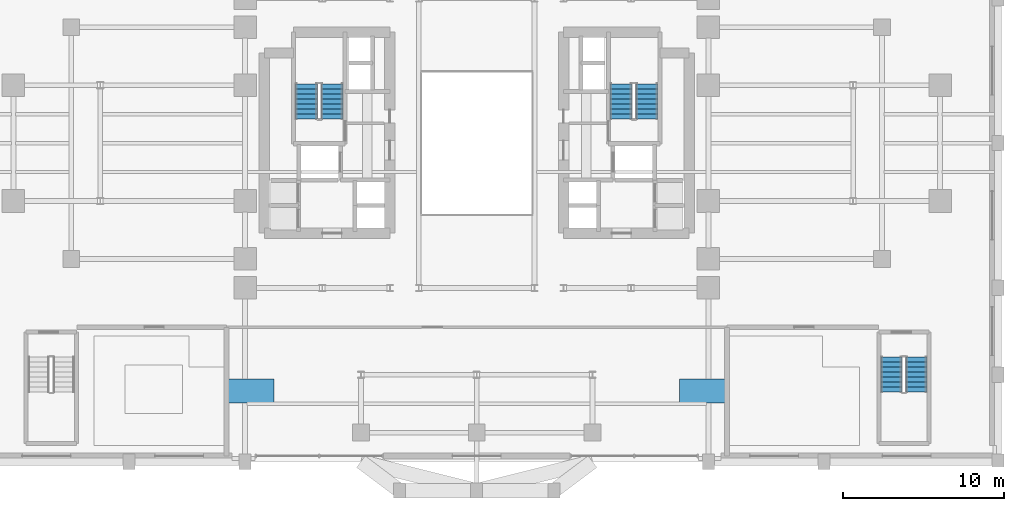
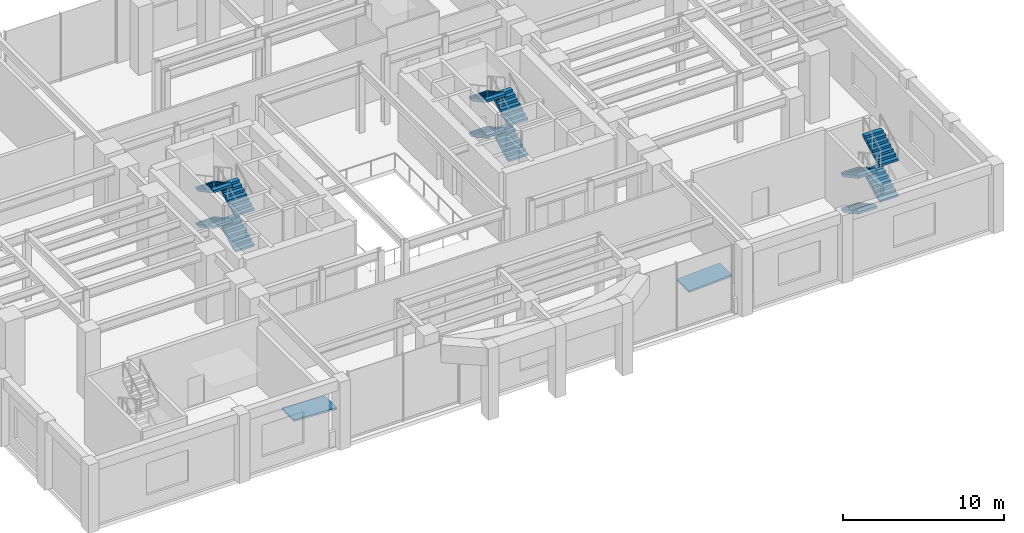
# One storey, part 13 of 16: 12 stair flights, 2 ramp flights, 5 elements without a shape of their own.
"""IFC4 building model written with IfcOpenShell, lengths in metres."""

from ifc_helpers import new_model, si_unit, direction, frame, origin, place, context, subcontext, project, spatial, polyline, outline, extrude, material, layer, layer_set, type_object, element, aggregate, save


model = new_model("IFC4")

# Units and contexts
model_context = context("Model", 3, precision=1e-05, world=origin(), true_north=direction((0.0, 1.0)))
body_context = subcontext(model_context, "Body", "Model", "MODEL_VIEW")
ifc_project = project(units=[si_unit("LENGTHUNIT", "METRE"), si_unit("AREAUNIT", "SQUARE_METRE"), si_unit("VOLUMEUNIT", "CUBIC_METRE"), si_unit("PLANEANGLEUNIT", "RADIAN"), si_unit("MASSUNIT", "GRAM", prefix="KILO")], contexts=[model_context])

# Site, building, storey
site_placement = place(None, origin())
site = spatial("IfcSite", under=ifc_project, at=site_placement, CompositionType="ELEMENT")
building_placement = place(site_placement, origin())
building = spatial("IfcBuilding", under=site, at=building_placement, Name="Keilestroom Media Tower", CompositionType="ELEMENT")
storey_placement = place(building_placement, frame((0.0, 0.0, 10.199951171875)))
storey = spatial("IfcBuildingStorey", under=building, at=storey_placement, Name="L02", CompositionType="ELEMENT", Elevation=10.199951171875)

# Stair, stair flights
ifc_material_1 = material(Name="Concrete C45/55", Category="concrete")
stair_type_1 = type_object("IfcStairType", Name="Enclosed-Dog-Leg-Stair-ST-CORE", PredefinedType="HALF_TURN_STAIR", material=ifc_material_1)
stair_1_placement = place(storey_placement, origin())
stair_1 = element("IfcStair", 1, at=stair_1_placement, inside=storey, type_object=stair_type_1, Name="L02 West Core Escape Stair ST-1", PredefinedType="HALF_TURN_STAIR")
ifc_material_2 = material(Name="Precast concrete C40/50", Category="concrete")
stair_flight_type_1 = type_object("IfcStairFlightType", Name="Precast-Concrete-Stair-Flight-Core-160", PredefinedType="STRAIGHT", material=ifc_material_2)
stair_flight_1_placement = place(storey_placement, frame((-8.97998046875, 1.5, 0.0), z_axis=(0.0, 0.0, 1.0), x_axis=(0.0, 1.0, 0.0)))
stair_flight_1 = element("IfcStairFlight", 2, at=stair_flight_1_placement, type_object=stair_flight_type_1, Name="ST-1 flight 1", NumberOfRisers=8, NumberOfTreads=7, PredefinedType="STRAIGHT", RiserHeight=0.16875, TreadLength=0.312, context=body_context, shape_type="SweptSolid", body=[
    extrude(outline(polyline([(0.0, 0.0), (0.0, 0.168701171875), (0.31201171875, 0.168701171875), (0.31201171875, 0.33740234375), (0.6240234375, 0.33740234375), (0.6240234375, 0.50634765625), (0.93603515625, 0.50634765625), (0.93603515625, 0.675048828125), (1.248046875, 0.675048828125), (1.248046875, 0.84375), (1.56005859375, 0.84375), (1.56005859375, 1.012451171875), (1.8720703125, 1.012451171875), (1.8720703125, 1.18115234375), (2.18408203125, 1.18115234375), (2.18408203125, 1.35009765625), (2.18408203125, 0.99951171875), (0.336181640625, 0.0), (0.0, 0.0)])), frame((0.0, 0.68017578125, 0.0), z_axis=(0.0, -1.0, 0.0), x_axis=(1.0, 0.0, 0.0)), (0.0, 0.0, 1.0), 1.360107421875),
])
stair_flight_2_placement = place(storey_placement, frame((-10.580078125, 3.68408203125, 1.35009765625), z_axis=(0.0, 0.0, 1.0), x_axis=(0.0, -1.0, 0.0)))
stair_flight_2 = element("IfcStairFlight", 3, at=stair_flight_2_placement, type_object=stair_flight_type_1, Name="ST-1 flight 2", NumberOfRisers=8, NumberOfTreads=7, PredefinedType="STRAIGHT", RiserHeight=0.16875, TreadLength=0.312, context=body_context, shape_type="SweptSolid", body=[
    extrude(outline(polyline([(0.0, 0.0), (0.0, 0.168701171875), (0.31201171875, 0.168701171875), (0.31201171875, 0.33740234375), (0.6240234375, 0.33740234375), (0.6240234375, 0.50634765625), (0.93603515625, 0.50634765625), (0.93603515625, 0.675048828125), (1.248046875, 0.675048828125), (1.248046875, 0.84375), (1.56005859375, 0.84375), (1.56005859375, 1.012451171875), (1.8720703125, 1.012451171875), (1.8720703125, 1.18115234375), (2.18408203125, 1.18115234375), (2.18408203125, 1.35009765625), (2.18408203125, 0.99951171875), (0.336181640625, 0.0), (0.0, 0.0)])), frame((0.0, 0.68017578125, 0.0), z_axis=(0.0, -1.0, 0.0), x_axis=(1.0, 0.0, 0.0)), (0.0, 0.0, 1.0), 1.360107421875),
])
stair_flight_3_placement = place(storey_placement, frame((-8.97998046875, 1.5, 2.699951171875), z_axis=(0.0, 0.0, 1.0), x_axis=(0.0, 1.0, 0.0)))
stair_flight_3 = element("IfcStairFlight", 4, at=stair_flight_3_placement, type_object=stair_flight_type_1, Name="ST-1 flight 3", NumberOfRisers=8, NumberOfTreads=7, PredefinedType="STRAIGHT", RiserHeight=0.16875, TreadLength=0.312, context=body_context, shape_type="SweptSolid", body=[
    extrude(outline(polyline([(0.0, 0.0), (0.0, 0.168701171875), (0.31201171875, 0.168701171875), (0.31201171875, 0.33740234375), (0.6240234375, 0.33740234375), (0.6240234375, 0.50634765625), (0.93603515625, 0.50634765625), (0.93603515625, 0.675048828125), (1.248046875, 0.675048828125), (1.248046875, 0.84375), (1.56005859375, 0.84375), (1.56005859375, 1.012451171875), (1.8720703125, 1.012451171875), (1.8720703125, 1.18115234375), (2.18408203125, 1.18115234375), (2.18408203125, 1.35009765625), (2.18408203125, 0.99951171875), (0.336181640625, 0.0), (0.0, 0.0)])), frame((0.0, 0.68017578125, 0.0), z_axis=(0.0, -1.0, 0.0), x_axis=(1.0, 0.0, 0.0)), (0.0, 0.0, 1.0), 1.360107421875),
])
stair_flight_4_placement = place(storey_placement, frame((-10.580078125, 3.68408203125, 4.050048828125), z_axis=(0.0, 0.0, 1.0), x_axis=(0.0, -1.0, 0.0)))
stair_flight_4 = element("IfcStairFlight", 5, at=stair_flight_4_placement, type_object=stair_flight_type_1, Name="ST-1 flight 4", NumberOfRisers=8, NumberOfTreads=7, PredefinedType="STRAIGHT", RiserHeight=0.16875, TreadLength=0.312, context=body_context, shape_type="SweptSolid", body=[
    extrude(outline(polyline([(0.0, 0.0), (0.0, 0.168701171875), (0.31201171875, 0.168701171875), (0.31201171875, 0.33740234375), (0.6240234375, 0.33740234375), (0.6240234375, 0.50634765625), (0.93603515625, 0.50634765625), (0.93603515625, 0.675048828125), (1.248046875, 0.675048828125), (1.248046875, 0.84375), (1.56005859375, 0.84375), (1.56005859375, 1.012451171875), (1.8720703125, 1.012451171875), (1.8720703125, 1.18115234375), (2.18408203125, 1.18115234375), (2.18408203125, 1.35009765625), (2.18408203125, 0.99951171875), (0.336181640625, 0.0), (0.0, 0.0)])), frame((0.0, 0.68017578125, 0.0), z_axis=(0.0, -1.0, 0.0), x_axis=(1.0, 0.0, 0.0)), (0.0, 0.0, 1.0), 1.360107421875),
])
aggregate(stair_1, [stair_flight_1, stair_flight_2, stair_flight_3, stair_flight_4])

stair_2_placement = place(storey_placement, origin())
stair_2 = element("IfcStair", 6, at=stair_2_placement, inside=storey, type_object=stair_type_1, Name="L02 East Core Escape Stair ST-2", PredefinedType="HALF_TURN_STAIR")
stair_flight_5_placement = place(storey_placement, frame((10.580078125, 1.5, 0.0), z_axis=(0.0, 0.0, 1.0), x_axis=(0.0, 1.0, 0.0)))
stair_flight_5 = element("IfcStairFlight", 7, at=stair_flight_5_placement, type_object=stair_flight_type_1, Name="ST-2 flight 1", NumberOfRisers=8, NumberOfTreads=7, PredefinedType="STRAIGHT", RiserHeight=0.16875, TreadLength=0.312, context=body_context, shape_type="SweptSolid", body=[
    extrude(outline(polyline([(0.0, 0.0), (0.0, 0.168701171875), (0.31201171875, 0.168701171875), (0.31201171875, 0.33740234375), (0.6240234375, 0.33740234375), (0.6240234375, 0.50634765625), (0.93603515625, 0.50634765625), (0.93603515625, 0.675048828125), (1.248046875, 0.675048828125), (1.248046875, 0.84375), (1.56005859375, 0.84375), (1.56005859375, 1.012451171875), (1.8720703125, 1.012451171875), (1.8720703125, 1.18115234375), (2.18408203125, 1.18115234375), (2.18408203125, 1.35009765625), (2.18408203125, 0.99951171875), (0.336181640625, 0.0), (0.0, 0.0)])), frame((0.0, 0.68017578125, 0.0), z_axis=(0.0, -1.0, 0.0), x_axis=(1.0, 0.0, 0.0)), (0.0, 0.0, 1.0), 1.360107421875),
])
stair_flight_6_placement = place(storey_placement, frame((8.97998046875, 3.68408203125, 1.35009765625), z_axis=(0.0, 0.0, 1.0), x_axis=(0.0, -1.0, 0.0)))
stair_flight_6 = element("IfcStairFlight", 8, at=stair_flight_6_placement, type_object=stair_flight_type_1, Name="ST-2 flight 2", NumberOfRisers=8, NumberOfTreads=7, PredefinedType="STRAIGHT", RiserHeight=0.16875, TreadLength=0.312, context=body_context, shape_type="SweptSolid", body=[
    extrude(outline(polyline([(0.0, 0.0), (0.0, 0.168701171875), (0.31201171875, 0.168701171875), (0.31201171875, 0.33740234375), (0.6240234375, 0.33740234375), (0.6240234375, 0.50634765625), (0.93603515625, 0.50634765625), (0.93603515625, 0.675048828125), (1.248046875, 0.675048828125), (1.248046875, 0.84375), (1.56005859375, 0.84375), (1.56005859375, 1.012451171875), (1.8720703125, 1.012451171875), (1.8720703125, 1.18115234375), (2.18408203125, 1.18115234375), (2.18408203125, 1.35009765625), (2.18408203125, 0.99951171875), (0.336181640625, 0.0), (0.0, 0.0)])), frame((0.0, 0.68017578125, 0.0), z_axis=(0.0, -1.0, 0.0), x_axis=(1.0, 0.0, 0.0)), (0.0, 0.0, 1.0), 1.360107421875),
])
stair_flight_7_placement = place(storey_placement, frame((10.580078125, 1.5, 2.699951171875), z_axis=(0.0, 0.0, 1.0), x_axis=(0.0, 1.0, 0.0)))
stair_flight_7 = element("IfcStairFlight", 9, at=stair_flight_7_placement, type_object=stair_flight_type_1, Name="ST-2 flight 3", NumberOfRisers=8, NumberOfTreads=7, PredefinedType="STRAIGHT", RiserHeight=0.16875, TreadLength=0.312, context=body_context, shape_type="SweptSolid", body=[
    extrude(outline(polyline([(0.0, 0.0), (0.0, 0.168701171875), (0.31201171875, 0.168701171875), (0.31201171875, 0.33740234375), (0.6240234375, 0.33740234375), (0.6240234375, 0.50634765625), (0.93603515625, 0.50634765625), (0.93603515625, 0.675048828125), (1.248046875, 0.675048828125), (1.248046875, 0.84375), (1.56005859375, 0.84375), (1.56005859375, 1.012451171875), (1.8720703125, 1.012451171875), (1.8720703125, 1.18115234375), (2.18408203125, 1.18115234375), (2.18408203125, 1.35009765625), (2.18408203125, 0.99951171875), (0.336181640625, 0.0), (0.0, 0.0)])), frame((0.0, 0.68017578125, 0.0), z_axis=(0.0, -1.0, 0.0), x_axis=(1.0, 0.0, 0.0)), (0.0, 0.0, 1.0), 1.360107421875),
])
stair_flight_8_placement = place(storey_placement, frame((8.97998046875, 3.68408203125, 4.050048828125), z_axis=(0.0, 0.0, 1.0), x_axis=(0.0, -1.0, 0.0)))
stair_flight_8 = element("IfcStairFlight", 10, at=stair_flight_8_placement, type_object=stair_flight_type_1, Name="ST-2 flight 4", NumberOfRisers=8, NumberOfTreads=7, PredefinedType="STRAIGHT", RiserHeight=0.16875, TreadLength=0.312, context=body_context, shape_type="SweptSolid", body=[
    extrude(outline(polyline([(0.0, 0.0), (0.0, 0.168701171875), (0.31201171875, 0.168701171875), (0.31201171875, 0.33740234375), (0.6240234375, 0.33740234375), (0.6240234375, 0.50634765625), (0.93603515625, 0.50634765625), (0.93603515625, 0.675048828125), (1.248046875, 0.675048828125), (1.248046875, 0.84375), (1.56005859375, 0.84375), (1.56005859375, 1.012451171875), (1.8720703125, 1.012451171875), (1.8720703125, 1.18115234375), (2.18408203125, 1.18115234375), (2.18408203125, 1.35009765625), (2.18408203125, 0.99951171875), (0.336181640625, 0.0), (0.0, 0.0)])), frame((0.0, 0.68017578125, 0.0), z_axis=(0.0, -1.0, 0.0), x_axis=(1.0, 0.0, 0.0)), (0.0, 0.0, 1.0), 1.360107421875),
])
aggregate(stair_2, [stair_flight_5, stair_flight_6, stair_flight_7, stair_flight_8])

stair_type_2 = type_object("IfcStairType", Name="Enclosed-Dog-Leg-Stair-ST-POD", PredefinedType="HALF_TURN_STAIR", material=ifc_material_1)
stair_3_placement = place(storey_placement, origin())
stair_3 = element("IfcStair", 11, at=stair_3_placement, inside=storey, type_object=stair_type_2, Name="L02 Podium East Studio Escape Stair ST-4", PredefinedType="HALF_TURN_STAIR")
stair_flight_type_2 = type_object("IfcStairFlightType", Name="Precast-Concrete-Stair-Flight-Podium-160", PredefinedType="STRAIGHT", material=ifc_material_2)
stair_flight_9_placement = place(storey_placement, frame((25.780029296875, -13.2900390625, 0.0), z_axis=(0.0, 0.0, 1.0), x_axis=(0.0, -1.0, 0.0)))
stair_flight_9 = element("IfcStairFlight", 12, at=stair_flight_9_placement, type_object=stair_flight_type_2, Name="ST-4 flight 1", NumberOfRisers=8, NumberOfTreads=7, PredefinedType="STRAIGHT", RiserHeight=0.16875, TreadLength=0.312, context=body_context, shape_type="SweptSolid", body=[
    extrude(outline(polyline([(0.0, 0.0), (0.0, 0.168701171875), (0.31201171875, 0.168701171875), (0.31201171875, 0.33740234375), (0.6240234375, 0.33740234375), (0.6240234375, 0.50634765625), (0.93603515625, 0.50634765625), (0.93603515625, 0.675048828125), (1.248046875, 0.675048828125), (1.248046875, 0.84375), (1.56005859375, 0.84375), (1.56005859375, 1.012451171875), (1.8720703125, 1.012451171875), (1.8720703125, 1.18115234375), (2.18408203125, 1.18115234375), (2.18408203125, 1.35009765625), (2.18408203125, 0.99951171875), (0.336181640625, 0.0), (0.0, 0.0)])), frame((0.0, 0.66015625, 0.0), z_axis=(0.0, -1.0, 0.0), x_axis=(1.0, 0.0, 0.0)), (0.0, 0.0, 1.0), 1.320068359375),
])
stair_flight_10_placement = place(storey_placement, frame((27.340087890625, -15.47412109375, 1.35009765625), z_axis=(0.0, 0.0, 1.0), x_axis=(0.0, 1.0, 0.0)))
stair_flight_10 = element("IfcStairFlight", 13, at=stair_flight_10_placement, type_object=stair_flight_type_2, Name="ST-4 flight 2", NumberOfRisers=8, NumberOfTreads=7, PredefinedType="STRAIGHT", RiserHeight=0.16875, TreadLength=0.312, context=body_context, shape_type="SweptSolid", body=[
    extrude(outline(polyline([(0.0, 0.0), (0.0, 0.168701171875), (0.31201171875, 0.168701171875), (0.31201171875, 0.33740234375), (0.6240234375, 0.33740234375), (0.6240234375, 0.50634765625), (0.93603515625, 0.50634765625), (0.93603515625, 0.675048828125), (1.248046875, 0.675048828125), (1.248046875, 0.84375), (1.56005859375, 0.84375), (1.56005859375, 1.012451171875), (1.8720703125, 1.012451171875), (1.8720703125, 1.18115234375), (2.18408203125, 1.18115234375), (2.18408203125, 1.35009765625), (2.18408203125, 0.99951171875), (0.336181640625, 0.0), (0.0, 0.0)])), frame((0.0, 0.66015625, 0.0), z_axis=(0.0, -1.0, 0.0), x_axis=(1.0, 0.0, 0.0)), (0.0, 0.0, 1.0), 1.320068359375),
])
stair_flight_11_placement = place(storey_placement, frame((25.780029296875, -13.2900390625, 2.699951171875), z_axis=(0.0, 0.0, 1.0), x_axis=(0.0, -1.0, 0.0)))
stair_flight_11 = element("IfcStairFlight", 14, at=stair_flight_11_placement, type_object=stair_flight_type_2, Name="ST-4 flight 3", NumberOfRisers=8, NumberOfTreads=7, PredefinedType="STRAIGHT", RiserHeight=0.16875, TreadLength=0.312, context=body_context, shape_type="SweptSolid", body=[
    extrude(outline(polyline([(0.0, 0.0), (0.0, 0.168701171875), (0.31201171875, 0.168701171875), (0.31201171875, 0.33740234375), (0.6240234375, 0.33740234375), (0.6240234375, 0.50634765625), (0.93603515625, 0.50634765625), (0.93603515625, 0.675048828125), (1.248046875, 0.675048828125), (1.248046875, 0.84375), (1.56005859375, 0.84375), (1.56005859375, 1.012451171875), (1.8720703125, 1.012451171875), (1.8720703125, 1.18115234375), (2.18408203125, 1.18115234375), (2.18408203125, 1.35009765625), (2.18408203125, 0.99951171875), (0.336181640625, 0.0), (0.0, 0.0)])), frame((0.0, 0.66015625, 0.0), z_axis=(0.0, -1.0, 0.0), x_axis=(1.0, 0.0, 0.0)), (0.0, 0.0, 1.0), 1.320068359375),
])
stair_flight_12_placement = place(storey_placement, frame((27.340087890625, -15.47412109375, 4.050048828125), z_axis=(0.0, 0.0, 1.0), x_axis=(0.0, 1.0, 0.0)))
stair_flight_12 = element("IfcStairFlight", 15, at=stair_flight_12_placement, type_object=stair_flight_type_2, Name="ST-4 flight 4", NumberOfRisers=8, NumberOfTreads=7, PredefinedType="STRAIGHT", RiserHeight=0.16875, TreadLength=0.312, context=body_context, shape_type="SweptSolid", body=[
    extrude(outline(polyline([(0.0, 0.0), (0.0, 0.168701171875), (0.31201171875, 0.168701171875), (0.31201171875, 0.33740234375), (0.6240234375, 0.33740234375), (0.6240234375, 0.50634765625), (0.93603515625, 0.50634765625), (0.93603515625, 0.675048828125), (1.248046875, 0.675048828125), (1.248046875, 0.84375), (1.56005859375, 0.84375), (1.56005859375, 1.012451171875), (1.8720703125, 1.012451171875), (1.8720703125, 1.18115234375), (2.18408203125, 1.18115234375), (2.18408203125, 1.35009765625), (2.18408203125, 0.99951171875), (0.336181640625, 0.0), (0.0, 0.0)])), frame((0.0, 0.66015625, 0.0), z_axis=(0.0, -1.0, 0.0), x_axis=(1.0, 0.0, 0.0)), (0.0, 0.0, 1.0), 1.320068359375),
])
aggregate(stair_3, [stair_flight_9, stair_flight_10, stair_flight_11, stair_flight_12])

# Ramp, ramp flight
ramp_type = type_object("IfcRampType", Name="Pedestrian-Accessible-Ramp-Quay", PredefinedType="STRAIGHT_RUN_RAMP", material=ifc_material_1)
ramp_1_placement = place(storey_placement, origin())
ramp_1 = element("IfcRamp", 16, at=ramp_1_placement, inside=storey, type_object=ramp_type, Name="L02 Studio Accessible Ramp 3", PredefinedType="STRAIGHT_RUN_RAMP")
ifc_layer = layer(ifc_material_1, 0.14990234375)
ifc_layer_set = layer_set([ifc_layer], Name="Concrete C45/55")
ramp_flight_type = type_object("IfcRampFlightType", Name="Reinforced-Concrete-Ramp-Flight-Quay-150", PredefinedType="STRAIGHT", material=ifc_layer_set)
ramp_flight_1_placement = place(storey_placement, frame((-15.679931640625, -16.14990234375, 0.150146484375), z_axis=(0.048693655381, 0.0, 0.998813760381), x_axis=(0.998813760381, 0.0, -0.048693655381)))
ramp_flight_1 = element("IfcRampFlight", 17, at=ramp_flight_1_placement, type_object=ramp_flight_type, Name="L02 Studio Accessible Ramp Flight 3", PredefinedType="STRAIGHT", context=body_context, shape_type="SweptSolid", body=[
    extrude(outline(polyline([(0.0, 0.0), (3.083491744448388, 0.0), (3.083491744448388, 1.5), (0.0, 1.5), (0.0, 0.0)])), origin(), (0.0, 0.0, -1.0), 0.14990234375),
])
aggregate(ramp_1, [ramp_flight_1])

ramp_2_placement = place(storey_placement, origin())
ramp_2 = element("IfcRamp", 18, at=ramp_2_placement, inside=storey, type_object=ramp_type, Name="L02 Studio Accessible Ramp 4", PredefinedType="STRAIGHT_RUN_RAMP")
ramp_flight_2_placement = place(storey_placement, frame((12.60009765625, -16.14990234375, 0.0), z_axis=(-0.048693655381, 0.0, 0.998813760381), x_axis=(0.998813760381, 0.0, 0.048693655381)))
ramp_flight_2 = element("IfcRampFlight", 19, at=ramp_flight_2_placement, type_object=ramp_flight_type, Name="L02 Studio Accessible Ramp Flight 4", PredefinedType="STRAIGHT", context=body_context, shape_type="SweptSolid", body=[
    extrude(outline(polyline([(0.0, 0.0), (3.083491744448388, 0.0), (3.083491744448388, 1.5), (0.0, 1.5), (0.0, 0.0)])), origin(), (0.0, 0.0, -1.0), 0.14990234375),
])
aggregate(ramp_2, [ramp_flight_2])

save(model, "model.ifc")
